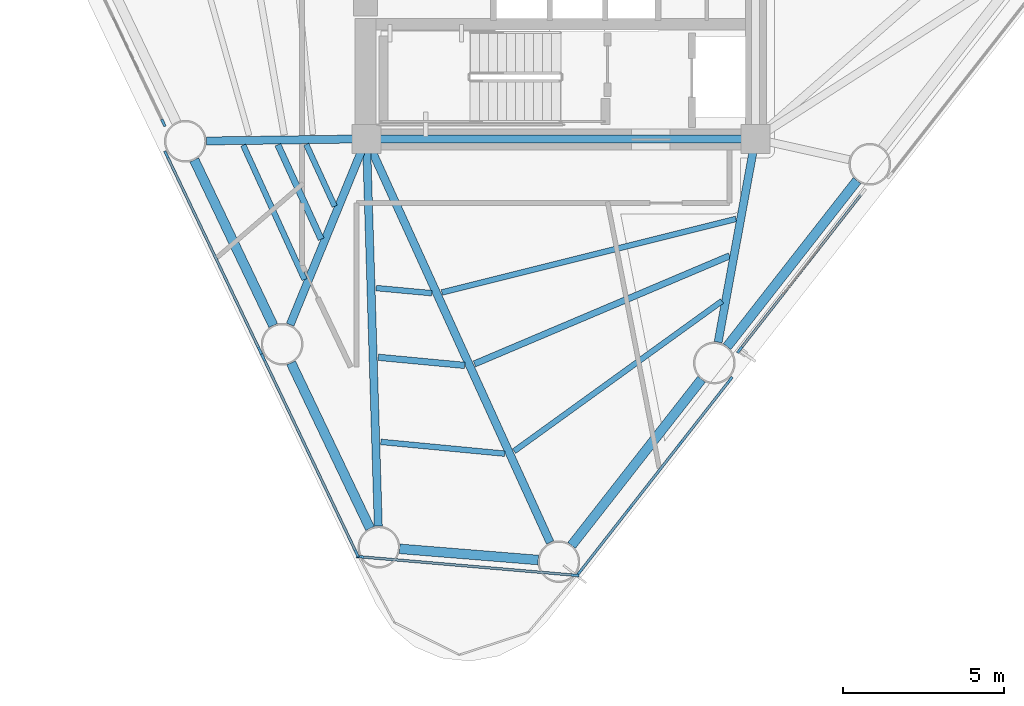
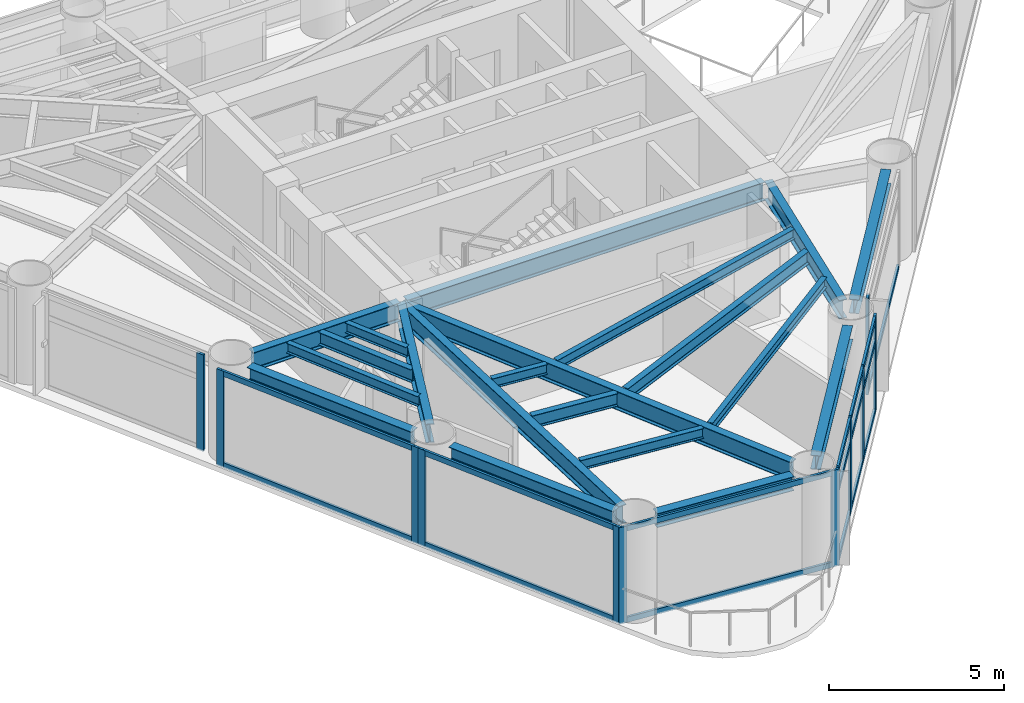
# One storey, part 2 of 10: 28 members, 20 beams, 6 elements without a shape of their own.
"""IFC4 building model written with IfcOpenShell, lengths in metres."""

from ifc_helpers import new_model, si_unit, direction, frame, origin, origin_2d, place, context, subcontext, project, spatial, rectangle, i_section, extrude, source, transform, mapped, material, layer, layer_set, material_profile, profile_set, type_object, element, aggregate, save


model = new_model("IFC4")

# Units and contexts
model_context = context("Model", 3, precision=1e-05, world=origin(), true_north=direction((0.0, 1.0)))
body_context = subcontext(model_context, "Body", "Model", "MODEL_VIEW")
ifc_project = project(units=[si_unit("LENGTHUNIT", "METRE"), si_unit("AREAUNIT", "SQUARE_METRE"), si_unit("VOLUMEUNIT", "CUBIC_METRE"), si_unit("PLANEANGLEUNIT", "RADIAN"), si_unit("MASSUNIT", "GRAM", prefix="KILO")], contexts=[model_context])

# Site, building, storey
site_placement = place(None, origin())
site = spatial("IfcSite", under=ifc_project, at=site_placement, CompositionType="ELEMENT")
building_placement = place(site_placement, origin())
building = spatial("IfcBuilding", under=site, at=building_placement, Name="Yunling Apex Tower", CompositionType="ELEMENT")
storey_placement = place(building_placement, frame((0.0, 0.0, 146.75)))
storey = spatial("IfcBuildingStorey", under=building, at=storey_placement, Name="L36", CompositionType="ELEMENT", Elevation=146.75)

# Beams
ifc_material_1 = material(Name="Steel Q355B", Category="steel")
ifc_material_profile_1 = material_profile(ifc_material_1, i_section(OverallWidth=0.25, OverallDepth=0.64990234375, WebThickness=0.011962890625, FlangeThickness=0.02001953125, FilletRadius=0.02392578125, at=origin_2d()))
ifc_profile_set_1 = profile_set([ifc_material_profile_1], Name="Steel Q355B")
beam_type_1 = type_object("IfcBeamType", Name="BG-PRI-4", PredefinedType="USERDEFINED", material=ifc_profile_set_1)
shared_shape_1 = source(origin(), body_context, "Body", "SweptSolid", [
    extrude(i_section(OverallWidth=0.25, OverallDepth=0.64990234375, WebThickness=0.011962890625, FlangeThickness=0.02001953125, FilletRadius=0.02392578125, at=origin_2d()), origin(), (0.0, 0.0, 1.0), 11.7998046875),
])
beam_1_placement = place(storey_placement, frame((-5.89990234375, -5.5, 2.945068359375), z_axis=(1.0, 0.0, 0.0), x_axis=(0.0, 1.0, 0.0)))
element("IfcBeam", 1, at=beam_1_placement, inside=storey, type_object=beam_type_1, Name="L36 Core Ring Tie Beam 1", ObjectType="GIRDER", PredefinedType="USERDEFINED", context=body_context, shape_type="MappedRepresentation", body=[
    mapped(shared_shape_1, transform((0.0, 0.0, 0.0), scale=1.0)),
])
ifc_material_profile_2 = material_profile(ifc_material_1, i_section(OverallWidth=0.300048828125, OverallDepth=0.489990234375, WebThickness=0.010986328125, FlangeThickness=0.01806640625, FilletRadius=0.02197265625, at=origin_2d()))
ifc_profile_set_2 = profile_set([ifc_material_profile_2], Name="Steel Q355B")
beam_type_2 = type_object("IfcBeamType", Name="BP-SPN-2", PredefinedType="SPANDREL", material=ifc_profile_set_2)
shared_shape_2 = source(origin(), body_context, "Body", "SweptSolid", [
    extrude(i_section(OverallWidth=0.300048828125, OverallDepth=0.489990234375, WebThickness=0.010986328125, FlangeThickness=0.01806640625, FilletRadius=0.02197265625, at=origin_2d()), origin(), (0.0, 0.0, 1.0), 6.562255859375),
])
for number, where, z_axis, x_axis, name in (
    (2, (0.332763671875, -18.147216796875, 3.02490234375), (0.616214963059, 0.787578008392, 0.0), (-0.787578008392, 0.616214963059, 0.0), "L36 Perimeter Spandrel Beam 1"),
    (3, (5.170166015625, -11.964599609375, 3.02490234375), (0.616214963059, 0.787578008392, 0.0), (-0.787578008392, 0.616214963059, 0.0), "L36 Perimeter Spandrel Beam 2"),
):
    element("IfcBeam", number, at=place(storey_placement, frame(where, z_axis=z_axis, x_axis=x_axis)), inside=storey, type_object=beam_type_2, Name=name, PredefinedType="SPANDREL", context=body_context, shape_type="MappedRepresentation", body=[
        mapped(shared_shape_2, transform((0.0, 0.0, 0.0), scale=1.0)),
    ])
shared_shape_3 = source(origin(), body_context, "Body", "SweptSolid", [
    extrude(i_section(OverallWidth=0.300048828125, OverallDepth=0.489990234375, WebThickness=0.010986328125, FlangeThickness=0.01806640625, FilletRadius=0.02197265625, at=origin_2d()), origin(), (0.0, 0.0, 1.0), 5.707763671875),
])
for number, where, z_axis, x_axis, name in (
    (4, (-11.407958984375, -6.15478515625, 3.02490234375), (0.430522919645, -0.902579645051, 0.0), (0.902579645051, 0.430522919645, 0.0), "L36 Perimeter Spandrel Beam 13"),
    (5, (-8.396240234375, -12.468994140625, 3.02490234375), (0.430522919645, -0.902579645051, 0.0), (0.902579645051, 0.430522919645, 0.0), "L36 Perimeter Spandrel Beam 14"),
):
    element("IfcBeam", number, at=place(storey_placement, frame(where, z_axis=z_axis, x_axis=x_axis)), inside=storey, type_object=beam_type_2, Name=name, PredefinedType="SPANDREL", context=body_context, shape_type="MappedRepresentation", body=[
        mapped(shared_shape_3, transform((0.0, 0.0, 0.0), scale=1.0)),
    ])
shared_shape_4 = source(origin(), body_context, "Body", "SweptSolid", [
    extrude(i_section(OverallWidth=0.300048828125, OverallDepth=0.489990234375, WebThickness=0.010986328125, FlangeThickness=0.01806640625, FilletRadius=0.02197265625, at=origin_2d()), origin(), (0.0, 0.0, 1.0), 4.328369140625),
])
beam_2_placement = place(storey_placement, frame((-5.02001953125, -18.25390625, 3.02490234375), z_axis=(0.996750747621, -0.08054779399, 0.0), x_axis=(0.08054779399, 0.996750747621, 0.0)))
element("IfcBeam", 6, at=beam_2_placement, inside=storey, type_object=beam_type_2, Name="L36 Perimeter Spandrel Beam 15", PredefinedType="SPANDREL", context=body_context, shape_type="MappedRepresentation", body=[
    mapped(shared_shape_4, transform((0.0, 0.0, 0.0), scale=1.0)),
])
shared_shape_5 = source(origin(), body_context, "Body", "SweptSolid", [
    extrude(i_section(OverallWidth=0.25, OverallDepth=0.64990234375, WebThickness=0.011962890625, FlangeThickness=0.02001953125, FilletRadius=0.02392578125, at=origin_2d()), origin(), (0.0, 0.0, 1.0), 13.714599609375),
])
beam_3_placement = place(storey_placement, frame((-0.33642578125, -18.0556640625, 2.945068359375), z_axis=(-0.414187834577, 0.910191429145, 0.0), x_axis=(-0.910191429145, -0.414187834577, 0.0)))
element("IfcBeam", 7, at=beam_3_placement, inside=storey, type_object=beam_type_1, Name="L36 Radial Primary Girder R01", ObjectType="GIRDER", PredefinedType="USERDEFINED", context=body_context, shape_type="MappedRepresentation", body=[
    mapped(shared_shape_5, transform((0.0, 0.0, 0.0), scale=1.0)),
])
shared_shape_6 = source(origin(), body_context, "Body", "SweptSolid", [
    extrude(i_section(OverallWidth=0.25, OverallDepth=0.64990234375, WebThickness=0.011962890625, FlangeThickness=0.02001953125, FilletRadius=0.02392578125, at=origin_2d()), origin(), (0.0, 0.0, 1.0), 6.349853515625),
])
beam_4_placement = place(storey_placement, frame((4.891845703125, -11.82470703125, 2.945068359375), z_axis=(0.18012699938, 0.983643362248, 0.0), x_axis=(-0.983643362248, 0.18012699938, 0.0)))
element("IfcBeam", 8, at=beam_4_placement, inside=storey, type_object=beam_type_1, Name="L36 Radial Primary Girder R02", ObjectType="GIRDER", PredefinedType="USERDEFINED", context=body_context, shape_type="MappedRepresentation", body=[
    mapped(shared_shape_6, transform((0.0, 0.0, 0.0), scale=1.0)),
])
shared_shape_7 = source(origin(), body_context, "Body", "SweptSolid", [
    extrude(i_section(OverallWidth=0.25, OverallDepth=0.64990234375, WebThickness=0.011962890625, FlangeThickness=0.02001953125, FilletRadius=0.02392578125, at=origin_2d()), origin(), (0.0, 0.0, 1.0), 4.89794921875),
])
beam_5_placement = place(storey_placement, frame((-11.02734375, -5.56494140625, 2.945068359375), z_axis=(0.999914718433, 0.0130597037, 0.0), x_axis=(-0.0130597037, 0.999914718433, 0.0)))
element("IfcBeam", 9, at=beam_5_placement, inside=storey, type_object=beam_type_1, Name="L36 Radial Primary Girder R13", ObjectType="GIRDER", PredefinedType="USERDEFINED", context=body_context, shape_type="MappedRepresentation", body=[
    mapped(shared_shape_7, transform((0.0, 0.0, 0.0), scale=1.0)),
])
shared_shape_8 = source(origin(), body_context, "Body", "SweptSolid", [
    extrude(i_section(OverallWidth=0.25, OverallDepth=0.64990234375, WebThickness=0.011962890625, FlangeThickness=0.02001953125, FilletRadius=0.02392578125, at=origin_2d()), origin(), (0.0, 0.0, 1.0), 6.16748046875),
])
beam_6_placement = place(storey_placement, frame((-8.423583984375, -11.279052734375, 2.945068359375), z_axis=(0.379933370098, 0.925013856267, 0.0), x_axis=(-0.925013856267, 0.379933370098, 0.0)))
element("IfcBeam", 10, at=beam_6_placement, inside=storey, type_object=beam_type_1, Name="L36 Radial Primary Girder R14", ObjectType="GIRDER", PredefinedType="USERDEFINED", context=body_context, shape_type="MappedRepresentation", body=[
    mapped(shared_shape_8, transform((0.0, 0.0, 0.0), scale=1.0)),
])
shared_shape_9 = source(origin(), body_context, "Body", "SweptSolid", [
    extrude(i_section(OverallWidth=0.25, OverallDepth=0.64990234375, WebThickness=0.011962890625, FlangeThickness=0.02001953125, FilletRadius=0.02392578125, at=origin_2d()), origin(), (0.0, 0.0, 1.0), 11.9697265625),
])
beam_7_placement = place(storey_placement, frame((-5.681884765625, -17.544189453125, 2.945068359375), z_axis=(-0.030554037514, 0.999533116406, 0.0), x_axis=(-0.999533116406, -0.030554037514, 0.0)))
element("IfcBeam", 11, at=beam_7_placement, inside=storey, type_object=beam_type_1, Name="L36 Radial Primary Girder R15", ObjectType="GIRDER", PredefinedType="USERDEFINED", context=body_context, shape_type="MappedRepresentation", body=[
    mapped(shared_shape_9, transform((0.0, 0.0, 0.0), scale=1.0)),
])
ifc_material_profile_3 = material_profile(ifc_material_1, i_section(OverallWidth=0.199951171875, OverallDepth=0.449951171875, WebThickness=0.009033203125, FlangeThickness=0.013916015625, FilletRadius=0.01806640625, at=origin_2d()))
ifc_profile_set_3 = profile_set([ifc_material_profile_3], Name="Steel Q355B")
beam_type_3 = type_object("IfcBeamType", Name="BS-SEC-3", PredefinedType="BEAM", material=ifc_profile_set_3)
shared_shape_10 = source(origin(), body_context, "Body", "SweptSolid", [
    extrude(i_section(OverallWidth=0.199951171875, OverallDepth=0.449951171875, WebThickness=0.009033203125, FlangeThickness=0.013916015625, FilletRadius=0.01806640625, at=origin_2d()), origin(), (0.0, 0.0, 1.0), 8.618896484375),
])
beam_8_placement = place(storey_placement, frame((-2.6884765625, -12.500732421875, 3.044921875), z_axis=(0.920793969751, 0.390049311332, 0.0), x_axis=(-0.390049311332, 0.920793969751, 0.0)))
element("IfcBeam", 12, at=beam_8_placement, inside=storey, type_object=beam_type_3, Name="L36 Composite Floor Beam BS-1", PredefinedType="BEAM", context=body_context, shape_type="MappedRepresentation", body=[
    mapped(shared_shape_10, transform((0.0, 0.0, 0.0), scale=1.0)),
])
ifc_material_profile_4 = material_profile(ifc_material_1, i_section(OverallWidth=0.175048828125, OverallDepth=0.35009765625, WebThickness=0.007080078125, FlangeThickness=0.010986328125, FilletRadius=0.013916015625, at=origin_2d()))
ifc_profile_set_4 = profile_set([ifc_material_profile_4], Name="Steel Q355B")
beam_type_4 = type_object("IfcBeamType", Name="BJ-JST-1", PredefinedType="JOIST", material=ifc_profile_set_4)
shared_shape_11 = source(origin(), body_context, "Body", "SweptSolid", [
    extrude(i_section(OverallWidth=0.175048828125, OverallDepth=0.35009765625, WebThickness=0.007080078125, FlangeThickness=0.010986328125, FilletRadius=0.013916015625, at=origin_2d()), origin(), (0.0, 0.0, 1.0), 7.98046875),
])
beam_9_placement = place(storey_placement, frame((-1.45654296875, -15.2158203125, 3.094970703125), z_axis=(0.81075666384, 0.585383320602, 0.0), x_axis=(-0.585383320602, 0.81075666384, 0.0)))
element("IfcBeam", 13, at=beam_9_placement, inside=storey, type_object=beam_type_4, Name="L36 Composite Floor Joist BJ1-1", PredefinedType="JOIST", context=body_context, shape_type="MappedRepresentation", body=[
    mapped(shared_shape_11, transform((0.0, 0.0, 0.0), scale=1.0)),
])
shared_shape_12 = source(origin(), body_context, "Body", "SweptSolid", [
    extrude(i_section(OverallWidth=0.175048828125, OverallDepth=0.35009765625, WebThickness=0.007080078125, FlangeThickness=0.010986328125, FilletRadius=0.013916015625, at=origin_2d()), origin(), (0.0, 0.0, 1.0), 9.430419921875),
])
beam_10_placement = place(storey_placement, frame((-3.703125, -10.277587890625, 3.094970703125), z_axis=(0.970157726952, 0.242474709682, 0.0), x_axis=(-0.242474709682, 0.970157726952, 0.0)))
element("IfcBeam", 14, at=beam_10_placement, inside=storey, type_object=beam_type_4, Name="L36 Composite Floor Joist BJ3-1", PredefinedType="JOIST", context=body_context, shape_type="MappedRepresentation", body=[
    mapped(shared_shape_12, transform((0.0, 0.0, 0.0), scale=1.0)),
])
shared_shape_13 = source(origin(), body_context, "Body", "SweptSolid", [
    extrude(i_section(OverallWidth=0.199951171875, OverallDepth=0.449951171875, WebThickness=0.009033203125, FlangeThickness=0.013916015625, FilletRadius=0.01806640625, at=origin_2d()), origin(), (0.0, 0.0, 1.0), 3.234619140625),
])
beam_11_placement = place(storey_placement, frame((-8.805908203125, -5.682373046875, 3.044921875), z_axis=(0.416337611841, -0.909210092864, 0.0), x_axis=(0.909210092864, 0.416337611841, 0.0)))
element("IfcBeam", 15, at=beam_11_placement, inside=storey, type_object=beam_type_3, Name="L36 Composite Floor Beam BS-13", PredefinedType="BEAM", context=body_context, shape_type="MappedRepresentation", body=[
    mapped(shared_shape_13, transform((0.0, 0.0, 0.0), scale=1.0)),
])
shared_shape_14 = source(origin(), body_context, "Body", "SweptSolid", [
    extrude(i_section(OverallWidth=0.175048828125, OverallDepth=0.35009765625, WebThickness=0.007080078125, FlangeThickness=0.010986328125, FilletRadius=0.013916015625, at=origin_2d()), origin(), (0.0, 0.0, 1.0), 4.596923828125),
])
beam_12_placement = place(storey_placement, frame((-9.883544921875, -5.696533203125, 3.094970703125), z_axis=(0.415258909569, -0.909703269217, 0.0), x_axis=(0.909703269217, 0.415258909569, 0.0)))
element("IfcBeam", 16, at=beam_12_placement, inside=storey, type_object=beam_type_4, Name="L36 Composite Floor Joist BJ1-13", PredefinedType="JOIST", context=body_context, shape_type="MappedRepresentation", body=[
    mapped(shared_shape_14, transform((0.0, 0.0, 0.0), scale=1.0)),
])
shared_shape_15 = source(origin(), body_context, "Body", "SweptSolid", [
    extrude(i_section(OverallWidth=0.175048828125, OverallDepth=0.35009765625, WebThickness=0.007080078125, FlangeThickness=0.010986328125, FilletRadius=0.013916015625, at=origin_2d()), origin(), (0.0, 0.0, 1.0), 2.1201171875),
])
beam_13_placement = place(storey_placement, frame((-7.924072265625, -5.670654296875, 3.094970703125), z_axis=(0.418101376265, -0.908400373825, 0.0), x_axis=(0.908400373825, 0.418101376265, 0.0)))
element("IfcBeam", 17, at=beam_13_placement, inside=storey, type_object=beam_type_4, Name="L36 Composite Floor Joist BJ3-13", PredefinedType="JOIST", context=body_context, shape_type="MappedRepresentation", body=[
    mapped(shared_shape_15, transform((0.0, 0.0, 0.0), scale=1.0)),
])
shared_shape_16 = source(origin(), body_context, "Body", "SweptSolid", [
    extrude(i_section(OverallWidth=0.199951171875, OverallDepth=0.449951171875, WebThickness=0.009033203125, FlangeThickness=0.013916015625, FilletRadius=0.01806640625, at=origin_2d()), origin(), (0.0, 0.0, 1.0), 2.700439453125),
])
beam_14_placement = place(storey_placement, frame((-5.68359375, -12.294921875, 3.044921875), z_axis=(0.995595280091, -0.09375520391, 0.0), x_axis=(0.09375520391, 0.995595280091, 0.0)))
element("IfcBeam", 18, at=beam_14_placement, inside=storey, type_object=beam_type_3, Name="L36 Composite Floor Beam BS-15", PredefinedType="BEAM", context=body_context, shape_type="MappedRepresentation", body=[
    mapped(shared_shape_16, transform((0.0, 0.0, 0.0), scale=1.0)),
])
shared_shape_17 = source(origin(), body_context, "Body", "SweptSolid", [
    extrude(i_section(OverallWidth=0.175048828125, OverallDepth=0.35009765625, WebThickness=0.007080078125, FlangeThickness=0.010986328125, FilletRadius=0.013916015625, at=origin_2d()), origin(), (0.0, 0.0, 1.0), 3.874755859375),
])
beam_15_placement = place(storey_placement, frame((-5.60302734375, -14.92724609375, 3.094970703125), z_axis=(0.995505944035, -0.094699078094, 0.0), x_axis=(0.094699078094, 0.995505944035, 0.0)))
element("IfcBeam", 19, at=beam_15_placement, inside=storey, type_object=beam_type_4, Name="L36 Composite Floor Joist BJ1-15", PredefinedType="JOIST", context=body_context, shape_type="MappedRepresentation", body=[
    mapped(shared_shape_17, transform((0.0, 0.0, 0.0), scale=1.0)),
])
shared_shape_18 = source(origin(), body_context, "Body", "SweptSolid", [
    extrude(i_section(OverallWidth=0.175048828125, OverallDepth=0.35009765625, WebThickness=0.007080078125, FlangeThickness=0.010986328125, FilletRadius=0.013916015625, at=origin_2d()), origin(), (0.0, 0.0, 1.0), 1.739013671875),
])
beam_16_placement = place(storey_placement, frame((-5.749267578125, -10.14111328125, 3.094970703125), z_axis=(0.995737570839, -0.092231719166, 0.0), x_axis=(0.092231719166, 0.995737570839, 0.0)))
element("IfcBeam", 20, at=beam_16_placement, inside=storey, type_object=beam_type_4, Name="L36 Composite Floor Joist BJ3-15", PredefinedType="JOIST", context=body_context, shape_type="MappedRepresentation", body=[
    mapped(shared_shape_18, transform((0.0, 0.0, 0.0), scale=1.0)),
])

# Curtain wall, members
ifc_material_2 = material(Name="Bronze anodised aluminium", Category="aluminium")
ifc_layer = layer(ifc_material_2, 0.239990234375)
ifc_layer_set = layer_set([ifc_layer], Name="Bronze anodised aluminium")
curtain_wall_type = type_object("IfcCurtainWallType", Name="CW-SYS-3", PredefinedType="NOTDEFINED", material=ifc_layer_set)
curtain_wall_1_placement = place(storey_placement, origin())
curtain_wall_1 = element("IfcCurtainWall", 21, at=curtain_wall_1_placement, inside=storey, type_object=curtain_wall_type, Name="CW-L36-F1-B1", PredefinedType="NOTDEFINED")
ifc_material_profile_5 = material_profile(ifc_material_2, rectangle(XDim=0.080078125, YDim=0.239990234375, at=origin_2d()))
ifc_profile_set_5 = profile_set([ifc_material_profile_5], Name="Bronze anodised aluminium")
member_type_1 = type_object("IfcMemberType", Name="CW-MUL-3", PredefinedType="MULLION", material=ifc_profile_set_5)
shared_shape_19 = source(origin(), body_context, "Body", "SweptSolid", [
    extrude(rectangle(XDim=0.080078125, YDim=0.239990234375, at=origin_2d()), origin(), (0.0, 0.0, 1.0), 3.3701171875),
])
member_1_placement = place(storey_placement, frame((0.569091796875, -18.99755859375, -0.050048828125), z_axis=(0.0, 0.0, 1.0), x_axis=(-0.787583748686, 0.616207626377, 0.0)))
member_1 = element("IfcMember", 22, at=member_1_placement, type_object=member_type_1, Name="CW-SYS-3 mullion 1", PredefinedType="MULLION", context=body_context, shape_type="MappedRepresentation", body=[
    mapped(shared_shape_19, transform((0.0, 0.0, 0.0), scale=1.0)),
])
member_2_placement = place(storey_placement, frame((2.1240234375, -17.01025390625, -0.050048828125), z_axis=(0.0, 0.0, 1.0), x_axis=(-0.787583748686, 0.616207626377, 0.0)))
member_2 = element("IfcMember", 23, at=member_2_placement, type_object=member_type_1, Name="CW-SYS-3 mullion 2", PredefinedType="MULLION", context=body_context, shape_type="MappedRepresentation", body=[
    mapped(shared_shape_19, transform((0.0, 0.0, 0.0), scale=1.0)),
])
member_3_placement = place(storey_placement, frame((3.70361328125, -14.9912109375, -0.050048828125), z_axis=(0.0, 0.0, 1.0), x_axis=(-0.787583748686, 0.616207626377, 0.0)))
member_3 = element("IfcMember", 24, at=member_3_placement, type_object=member_type_1, Name="CW-SYS-3 mullion 3", PredefinedType="MULLION", context=body_context, shape_type="MappedRepresentation", body=[
    mapped(shared_shape_19, transform((0.0, 0.0, 0.0), scale=1.0)),
])
member_4_placement = place(storey_placement, frame((5.258544921875, -13.00390625, -0.050048828125), z_axis=(0.0, 0.0, 1.0), x_axis=(-0.787583748686, 0.616207626377, 0.0)))
member_4 = element("IfcMember", 25, at=member_4_placement, type_object=member_type_1, Name="CW-SYS-3 mullion 4", PredefinedType="MULLION", context=body_context, shape_type="MappedRepresentation", body=[
    mapped(shared_shape_19, transform((0.0, 0.0, 0.0), scale=1.0)),
])

# Curtain wall, member
curtain_wall_2_placement = place(storey_placement, origin())
curtain_wall_2 = element("IfcCurtainWall", 26, at=curtain_wall_2_placement, inside=storey, type_object=curtain_wall_type, Name="CW-L36-F1-B2", PredefinedType="NOTDEFINED")
member_5_placement = place(storey_placement, frame((5.56396484375, -12.06201171875, -0.050048828125), z_axis=(0.0, 0.0, 1.0), x_axis=(-0.787590269126, 0.616199292419, 0.0)))
member_5 = element("IfcMember", 27, at=member_5_placement, type_object=member_type_1, Name="CW-SYS-3 mullion 1", PredefinedType="MULLION", context=body_context, shape_type="MappedRepresentation", body=[
    mapped(shared_shape_19, transform((0.0, 0.0, 0.0), scale=1.0)),
])

curtain_wall_3_placement = place(storey_placement, origin())
curtain_wall_3 = element("IfcCurtainWall", 28, at=curtain_wall_3_placement, inside=storey, type_object=curtain_wall_type, Name="CW-L36-F3-B2", PredefinedType="NOTDEFINED")
member_6_placement = place(storey_placement, frame((-12.36767578125, -5.001708984375, -0.050048828125), z_axis=(0.0, 0.0, 1.0), x_axis=(0.902579794247, 0.430522606859, 0.0)))
member_6 = element("IfcMember", 29, at=member_6_placement, type_object=member_type_1, Name="CW-SYS-3 mullion 2", PredefinedType="MULLION", context=body_context, shape_type="MappedRepresentation", body=[
    mapped(shared_shape_19, transform((0.0, 0.0, 0.0), scale=1.0)),
])
aggregate(curtain_wall_3, [member_6])

# Curtain wall, members
curtain_wall_4_placement = place(storey_placement, origin())
curtain_wall_4 = element("IfcCurtainWall", 30, at=curtain_wall_4_placement, inside=storey, type_object=curtain_wall_type, Name="CW-L36-F3-B3", PredefinedType="NOTDEFINED")
member_7_placement = place(storey_placement, frame((-12.274169921875, -5.987548828125, -0.050048828125), z_axis=(0.0, 0.0, 1.0), x_axis=(0.902593449526, 0.430493977743, 0.0)))
member_7 = element("IfcMember", 31, at=member_7_placement, type_object=member_type_1, Name="CW-SYS-3 mullion 1", PredefinedType="MULLION", context=body_context, shape_type="MappedRepresentation", body=[
    mapped(shared_shape_19, transform((0.0, 0.0, 0.0), scale=1.0)),
])
member_8_placement = place(storey_placement, frame((-9.365966796875, -12.085205078125, -0.050048828125), z_axis=(0.0, 0.0, 1.0), x_axis=(0.902593449526, 0.430493977743, 0.0)))
member_8 = element("IfcMember", 32, at=member_8_placement, type_object=member_type_1, Name="CW-SYS-3 mullion 2", PredefinedType="MULLION", context=body_context, shape_type="MappedRepresentation", body=[
    mapped(shared_shape_19, transform((0.0, 0.0, 0.0), scale=1.0)),
])

curtain_wall_5_placement = place(storey_placement, origin())
curtain_wall_5 = element("IfcCurtainWall", 33, at=curtain_wall_5_placement, inside=storey, type_object=curtain_wall_type, Name="CW-L36-F3-B4", PredefinedType="NOTDEFINED")
member_9_placement = place(storey_placement, frame((-9.2626953125, -12.3017578125, -0.050048828125), z_axis=(0.0, 0.0, 1.0), x_axis=(0.902585053788, 0.430511580192, 0.0)))
member_9 = element("IfcMember", 34, at=member_9_placement, type_object=member_type_1, Name="CW-SYS-3 mullion 1", PredefinedType="MULLION", context=body_context, shape_type="MappedRepresentation", body=[
    mapped(shared_shape_19, transform((0.0, 0.0, 0.0), scale=1.0)),
])
member_10_placement = place(storey_placement, frame((-6.354248046875, -18.399169921875, -0.050048828125), z_axis=(0.0, 0.0, 1.0), x_axis=(0.902585053788, 0.430511580192, 0.0)))
member_10 = element("IfcMember", 35, at=member_10_placement, type_object=member_type_1, Name="CW-SYS-3 mullion 2", PredefinedType="MULLION", context=body_context, shape_type="MappedRepresentation", body=[
    mapped(shared_shape_19, transform((0.0, 0.0, 0.0), scale=1.0)),
])

curtain_wall_6_placement = place(storey_placement, origin())
curtain_wall_6 = element("IfcCurtainWall", 36, at=curtain_wall_6_placement, inside=storey, type_object=curtain_wall_type, Name="CW-L36-CRN3", PredefinedType="NOTDEFINED")
member_11_placement = place(storey_placement, frame((-6.24462890625, -18.50244140625, -0.050048828125), z_axis=(0.0, 0.0, 1.0), x_axis=(0.085550287883, 0.996333853808, 0.0)))
member_11 = element("IfcMember", 37, at=member_11_placement, type_object=member_type_1, Name="CW-SYS-3 mullion 1", PredefinedType="MULLION", context=body_context, shape_type="MappedRepresentation", body=[
    mapped(shared_shape_19, transform((0.0, 0.0, 0.0), scale=1.0)),
])
member_12_placement = place(storey_placement, frame((0.439697265625, -19.076171875, -0.050048828125), z_axis=(0.0, 0.0, 1.0), x_axis=(0.085550287883, 0.996333853808, 0.0)))
member_12 = element("IfcMember", 38, at=member_12_placement, type_object=member_type_1, Name="CW-SYS-3 mullion 2", PredefinedType="MULLION", context=body_context, shape_type="MappedRepresentation", body=[
    mapped(shared_shape_19, transform((0.0, 0.0, 0.0), scale=1.0)),
])

# Member
ifc_material_profile_6 = material_profile(ifc_material_2, rectangle(XDim=0.080078125, YDim=0.18505859375, at=origin_2d()))
ifc_profile_set_6 = profile_set([ifc_material_profile_6], Name="Bronze anodised aluminium")
member_type_2 = type_object("IfcMemberType", Name="CW-TRN-3", PredefinedType="USERDEFINED", material=ifc_profile_set_6)
shared_shape_20 = source(origin(), body_context, "Body", "SweptSolid", [
    extrude(rectangle(XDim=0.080078125, YDim=0.18505859375, at=origin_2d()), origin(), (0.0, 0.0, 1.0), 2.451416015625),
])
member_13_placement = place(storey_placement, frame((0.59130859375, -18.96923828125, 0.0400390625), z_axis=(0.616192781155, 0.787595363402, 0.0), x_axis=(-0.787595363402, 0.616192781155, 0.0)))
member_13 = element("IfcMember", 39, at=member_13_placement, type_object=member_type_2, Name="CW-SYS-3 transom 1.1", ObjectType="TRANSOM", PredefinedType="USERDEFINED", context=body_context, shape_type="MappedRepresentation", body=[
    mapped(shared_shape_20, transform((0.0, 0.0, 0.0), scale=1.0)),
])

member_14_placement = place(storey_placement, frame((0.59130859375, -18.96923828125, 2.485107421875), z_axis=(0.616192781155, 0.787595363402, 0.0), x_axis=(-0.787595363402, 0.616192781155, 0.0)))
member_14 = element("IfcMember", 40, at=member_14_placement, type_object=member_type_2, Name="CW-SYS-3 transom 1.2", ObjectType="TRANSOM", PredefinedType="USERDEFINED", context=body_context, shape_type="MappedRepresentation", body=[
    mapped(shared_shape_20, transform((0.0, 0.0, 0.0), scale=1.0)),
])

member_15_placement = place(storey_placement, frame((0.59130859375, -18.96923828125, 3.22998046875), z_axis=(0.616192781155, 0.787595363402, 0.0), x_axis=(-0.787595363402, 0.616192781155, 0.0)))
member_15 = element("IfcMember", 41, at=member_15_placement, type_object=member_type_2, Name="CW-SYS-3 transom 1.3", ObjectType="TRANSOM", PredefinedType="USERDEFINED", context=body_context, shape_type="MappedRepresentation", body=[
    mapped(shared_shape_20, transform((0.0, 0.0, 0.0), scale=1.0)),
])

member_16_placement = place(storey_placement, frame((3.725830078125, -14.962890625, 0.0400390625), z_axis=(0.616192781155, 0.787595363402, 0.0), x_axis=(-0.787595363402, 0.616192781155, 0.0)))
member_16 = element("IfcMember", 42, at=member_16_placement, type_object=member_type_2, Name="CW-SYS-3 transom 3.1", ObjectType="TRANSOM", PredefinedType="USERDEFINED", context=body_context, shape_type="MappedRepresentation", body=[
    mapped(shared_shape_20, transform((0.0, 0.0, 0.0), scale=1.0)),
])

member_17_placement = place(storey_placement, frame((3.725830078125, -14.962890625, 2.485107421875), z_axis=(0.616192781155, 0.787595363402, 0.0), x_axis=(-0.787595363402, 0.616192781155, 0.0)))
member_17 = element("IfcMember", 43, at=member_17_placement, type_object=member_type_2, Name="CW-SYS-3 transom 3.2", ObjectType="TRANSOM", PredefinedType="USERDEFINED", context=body_context, shape_type="MappedRepresentation", body=[
    mapped(shared_shape_20, transform((0.0, 0.0, 0.0), scale=1.0)),
])

member_18_placement = place(storey_placement, frame((3.725830078125, -14.962890625, 3.22998046875), z_axis=(0.616192781155, 0.787595363402, 0.0), x_axis=(-0.787595363402, 0.616192781155, 0.0)))
member_18 = element("IfcMember", 44, at=member_18_placement, type_object=member_type_2, Name="CW-SYS-3 transom 3.3", ObjectType="TRANSOM", PredefinedType="USERDEFINED", context=body_context, shape_type="MappedRepresentation", body=[
    mapped(shared_shape_20, transform((0.0, 0.0, 0.0), scale=1.0)),
])

shared_shape_21 = source(origin(), body_context, "Body", "SweptSolid", [
    extrude(rectangle(XDim=0.080078125, YDim=0.18505859375, at=origin_2d()), origin(), (0.0, 0.0, 1.0), 2.491455078125),
])
member_19_placement = place(storey_placement, frame((2.146240234375, -16.981689453125, 0.0400390625), z_axis=(0.616197277936, 0.787591845225, 0.0), x_axis=(-0.787591845225, 0.616197277936, 0.0)))
member_19 = element("IfcMember", 45, at=member_19_placement, type_object=member_type_2, Name="CW-SYS-3 transom 2.1", ObjectType="TRANSOM", PredefinedType="USERDEFINED", context=body_context, shape_type="MappedRepresentation", body=[
    mapped(shared_shape_21, transform((0.0, 0.0, 0.0), scale=1.0)),
])

member_20_placement = place(storey_placement, frame((2.146240234375, -16.981689453125, 2.485107421875), z_axis=(0.616197277936, 0.787591845225, 0.0), x_axis=(-0.787591845225, 0.616197277936, 0.0)))
member_20 = element("IfcMember", 46, at=member_20_placement, type_object=member_type_2, Name="CW-SYS-3 transom 2.2", ObjectType="TRANSOM", PredefinedType="USERDEFINED", context=body_context, shape_type="MappedRepresentation", body=[
    mapped(shared_shape_21, transform((0.0, 0.0, 0.0), scale=1.0)),
])

member_21_placement = place(storey_placement, frame((2.146240234375, -16.981689453125, 3.22998046875), z_axis=(0.616197277936, 0.787591845225, 0.0), x_axis=(-0.787591845225, 0.616197277936, 0.0)))
member_21 = element("IfcMember", 47, at=member_21_placement, type_object=member_type_2, Name="CW-SYS-3 transom 2.3", ObjectType="TRANSOM", PredefinedType="USERDEFINED", context=body_context, shape_type="MappedRepresentation", body=[
    mapped(shared_shape_21, transform((0.0, 0.0, 0.0), scale=1.0)),
])

aggregate(curtain_wall_1, [member_1, member_2, member_3, member_4, member_13, member_14, member_15, member_19, member_20, member_21, member_16, member_17, member_18])

shared_shape_22 = source(origin(), body_context, "Body", "SweptSolid", [
    extrude(rectangle(XDim=0.080078125, YDim=0.18505859375, at=origin_2d()), origin(), (0.0, 0.0, 1.0), 6.158203125),
])
member_22_placement = place(storey_placement, frame((5.5859375, -12.03369140625, 0.0400390625), z_axis=(0.616202427613, 0.787587816185, 0.0), x_axis=(-0.787587816185, 0.616202427613, 0.0)))
member_22 = element("IfcMember", 48, at=member_22_placement, type_object=member_type_2, Name="CW-SYS-3 transom 1.1", ObjectType="TRANSOM", PredefinedType="USERDEFINED", context=body_context, shape_type="MappedRepresentation", body=[
    mapped(shared_shape_22, transform((0.0, 0.0, 0.0), scale=1.0)),
])

aggregate(curtain_wall_2, [member_5, member_22])

shared_shape_23 = source(origin(), body_context, "Body", "SweptSolid", [
    extrude(rectangle(XDim=0.080078125, YDim=0.18505859375, at=origin_2d()), origin(), (0.0, 0.0, 1.0), 6.68359375),
])
member_23_placement = place(storey_placement, frame((-12.2587890625, -6.02001953125, 0.0400390625), z_axis=(0.430493585609, -0.902593636555, 0.0), x_axis=(0.902593636555, 0.430493585609, 0.0)))
member_23 = element("IfcMember", 49, at=member_23_placement, type_object=member_type_2, Name="CW-SYS-3 transom 1.1", ObjectType="TRANSOM", PredefinedType="USERDEFINED", context=body_context, shape_type="MappedRepresentation", body=[
    mapped(shared_shape_23, transform((0.0, 0.0, 0.0), scale=1.0)),
])

member_24_placement = place(storey_placement, frame((-12.2587890625, -6.02001953125, 3.22998046875), z_axis=(0.430493585609, -0.902593636555, 0.0), x_axis=(0.902593636555, 0.430493585609, 0.0)))
member_24 = element("IfcMember", 50, at=member_24_placement, type_object=member_type_2, Name="CW-SYS-3 transom 1.2", ObjectType="TRANSOM", PredefinedType="USERDEFINED", context=body_context, shape_type="MappedRepresentation", body=[
    mapped(shared_shape_23, transform((0.0, 0.0, 0.0), scale=1.0)),
])

aggregate(curtain_wall_4, [member_7, member_8, member_23, member_24])

member_25_placement = place(storey_placement, frame((-9.2470703125, -12.334228515625, 0.0400390625), z_axis=(0.430493585609, -0.902593636555, 0.0), x_axis=(0.902593636555, 0.430493585609, 0.0)))
member_25 = element("IfcMember", 51, at=member_25_placement, type_object=member_type_2, Name="CW-SYS-3 transom 1.1", ObjectType="TRANSOM", PredefinedType="USERDEFINED", context=body_context, shape_type="MappedRepresentation", body=[
    mapped(shared_shape_23, transform((0.0, 0.0, 0.0), scale=1.0)),
])

member_26_placement = place(storey_placement, frame((-9.2470703125, -12.334228515625, 3.22998046875), z_axis=(0.430493585609, -0.902593636555, 0.0), x_axis=(0.902593636555, 0.430493585609, 0.0)))
member_26 = element("IfcMember", 52, at=member_26_placement, type_object=member_type_2, Name="CW-SYS-3 transom 1.2", ObjectType="TRANSOM", PredefinedType="USERDEFINED", context=body_context, shape_type="MappedRepresentation", body=[
    mapped(shared_shape_23, transform((0.0, 0.0, 0.0), scale=1.0)),
])

aggregate(curtain_wall_5, [member_9, member_10, member_25, member_26])

shared_shape_24 = source(origin(), body_context, "Body", "SweptSolid", [
    extrude(rectangle(XDim=0.080078125, YDim=0.18505859375, at=origin_2d()), origin(), (0.0, 0.0, 1.0), 6.63720703125),
])
member_27_placement = place(storey_placement, frame((-6.208984375, -18.50537109375, 0.0400390625), z_axis=(0.996333043608, -0.085559723083, 0.0), x_axis=(0.085559723083, 0.996333043608, 0.0)))
member_27 = element("IfcMember", 53, at=member_27_placement, type_object=member_type_2, Name="CW-SYS-3 transom 1.1", ObjectType="TRANSOM", PredefinedType="USERDEFINED", context=body_context, shape_type="MappedRepresentation", body=[
    mapped(shared_shape_24, transform((0.0, 0.0, 0.0), scale=1.0)),
])

member_28_placement = place(storey_placement, frame((-6.208984375, -18.50537109375, 3.22998046875), z_axis=(0.996333043608, -0.085559723083, 0.0), x_axis=(0.085559723083, 0.996333043608, 0.0)))
member_28 = element("IfcMember", 54, at=member_28_placement, type_object=member_type_2, Name="CW-SYS-3 transom 1.2", ObjectType="TRANSOM", PredefinedType="USERDEFINED", context=body_context, shape_type="MappedRepresentation", body=[
    mapped(shared_shape_24, transform((0.0, 0.0, 0.0), scale=1.0)),
])

aggregate(curtain_wall_6, [member_11, member_12, member_27, member_28])

save(model, "model.ifc")
